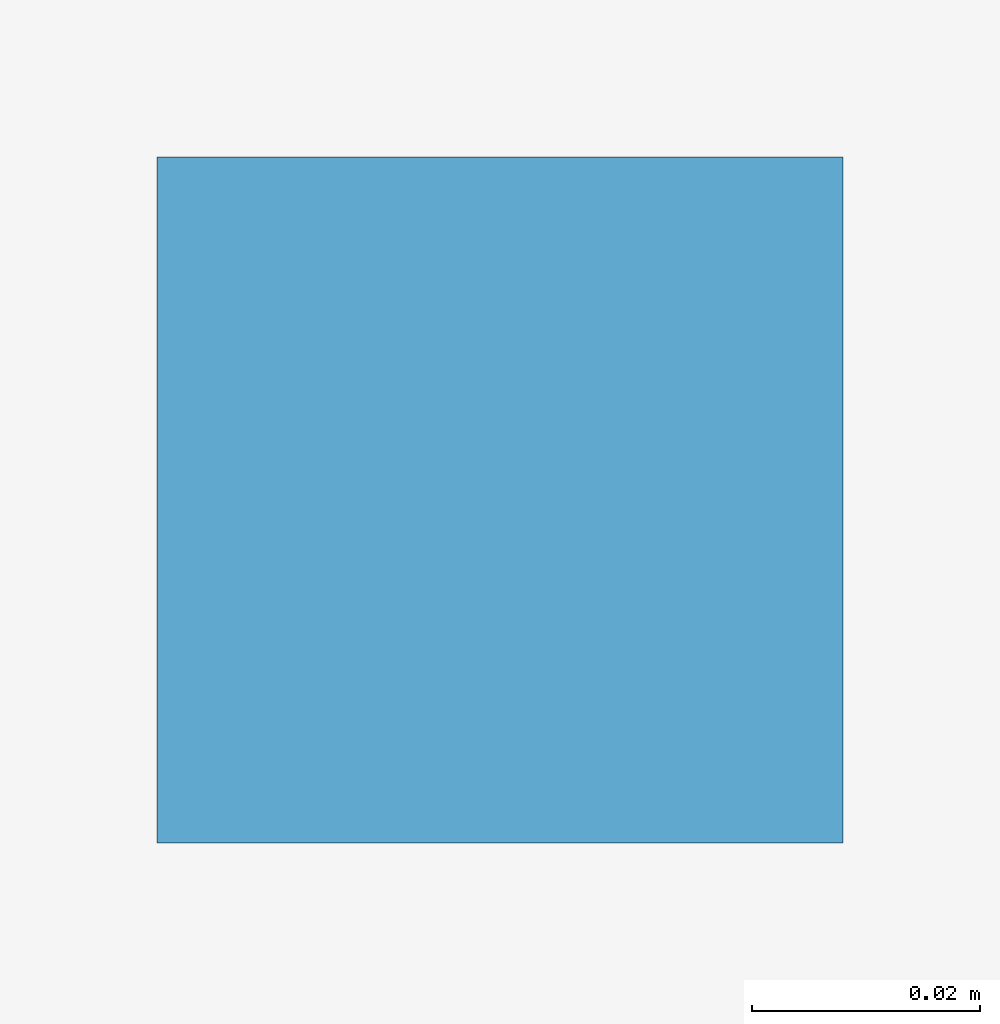
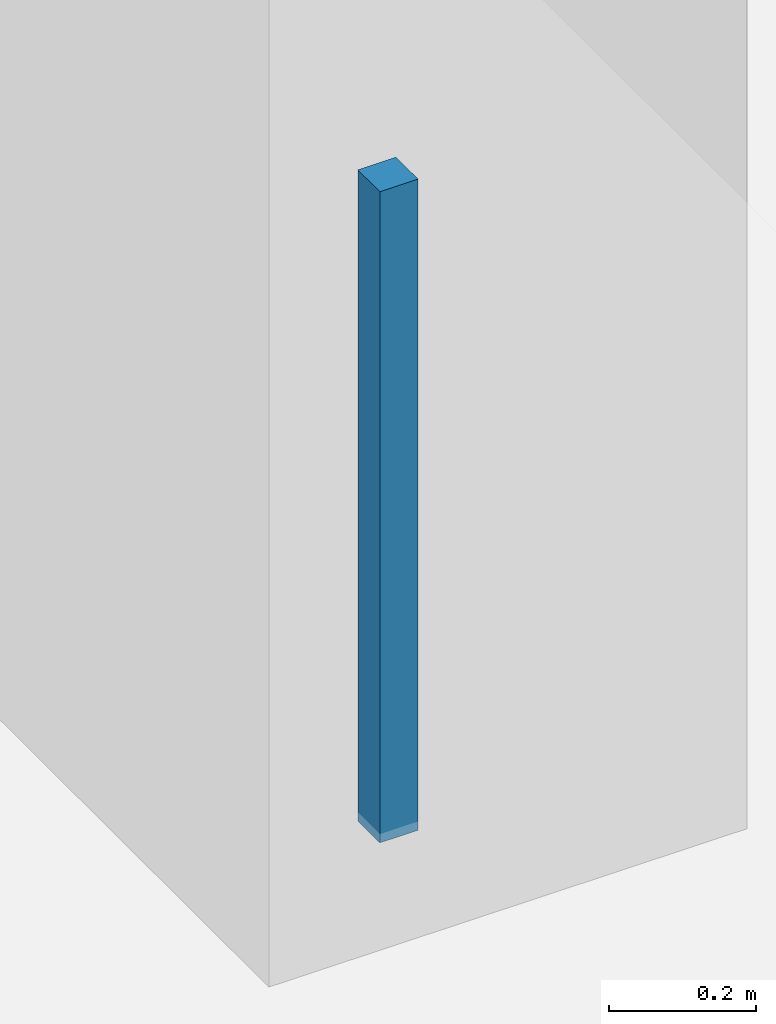
# One storey, part 101 of 108: 1 discrete accessory.
"""IFC4 building model written with IfcOpenShell, lengths in metres."""

from ifc_helpers import new_model, si_unit, direction, frame, origin, origin_2d, place, context, subcontext, project, spatial, rectangle, extrude, material, type_object, element, save


model = new_model("IFC4")

# Units and contexts
model_context = context("Model", 3, precision=1e-05, world=origin(), true_north=direction((0.0, 1.0)))
body_context = subcontext(model_context, "Body", "Model", "MODEL_VIEW")
ifc_project = project(units=[si_unit("LENGTHUNIT", "METRE"), si_unit("AREAUNIT", "SQUARE_METRE"), si_unit("VOLUMEUNIT", "CUBIC_METRE"), si_unit("PLANEANGLEUNIT", "RADIAN"), si_unit("MASSUNIT", "GRAM", prefix="KILO")], contexts=[model_context])

# Site, building, storey
site_placement = place(None, origin())
site = spatial("IfcSite", under=ifc_project, at=site_placement, CompositionType="ELEMENT")
building_placement = place(site_placement, origin())
building = spatial("IfcBuilding", under=site, at=building_placement, Name="Kangsadwip Square Police Headquarters", CompositionType="ELEMENT")
storey_placement = place(building_placement, frame((0.0, 0.0, 9.449951171875)))
storey = spatial("IfcBuildingStorey", under=building, at=storey_placement, Name="L02", CompositionType="ELEMENT", Elevation=9.449951171875)

# Discrete accessory
ifc_material = material(Name="Structural steel IS 2062 E350 (Grade 350, 350 MPa)", Category="steel")
discrete_accessory_type = type_object("IfcDiscreteAccessoryType", Name="VeilOutriggerBracket", PredefinedType="BRACKET", material=ifc_material)
discrete_accessory_placement = place(storey_placement, frame((149.14990234375, 68.39990234375, 2.81005859375), z_axis=(0.0, 0.0, 1.0), x_axis=(1.0, 0.0, 0.0)))
element("IfcDiscreteAccessory", 1, at=discrete_accessory_placement, inside=storey, type_object=discrete_accessory_type, Name="Ceiling Suspension Hanger L02-086", PredefinedType="BRACKET", context=body_context, shape_type="SweptSolid", body=[
    extrude(rectangle(XDim=0.06005859375, YDim=0.06005859375, at=origin_2d()), origin(), (0.0, 0.0, 1.0), 1.080078125),
])

save(model, "model.ifc")
